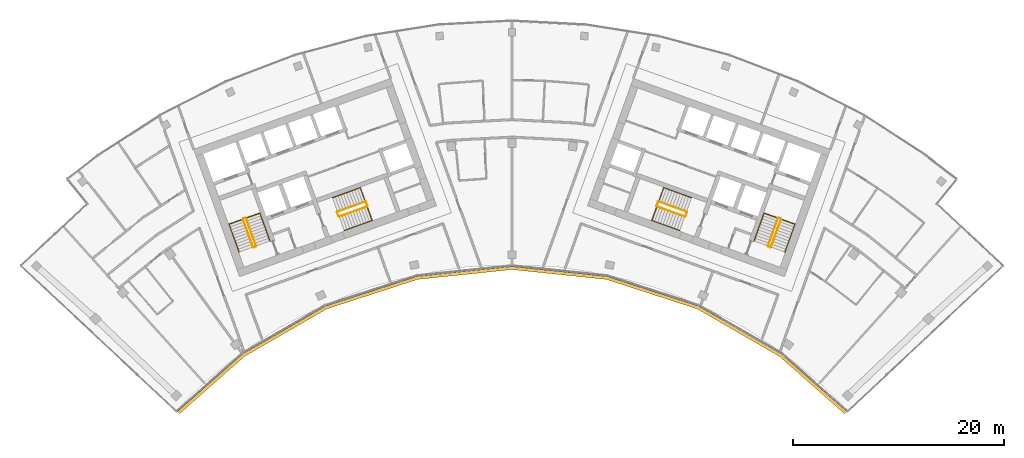
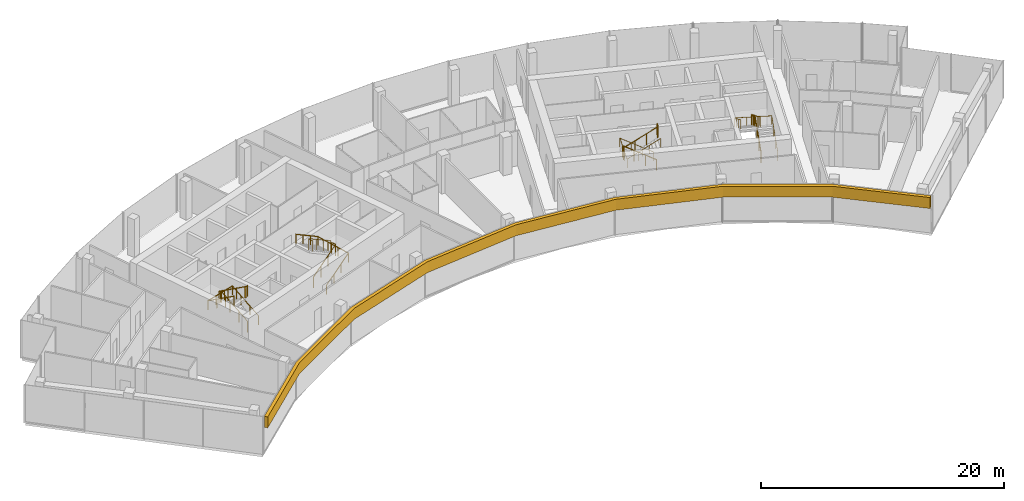
# One storey, part 18 of 18: 12 railings, 1 covering.
"""IFC4 building model written with IfcOpenShell, lengths in metres."""

from ifc_helpers import new_model, si_unit, direction, frame, origin, origin_2d, place, context, subcontext, project, spatial, polyline, circle, outline, extrude, material, layer, layer_set, type_object, element, save


model = new_model("IFC4")

# Units and contexts
model_context = context("Model", 3, precision=1e-05, world=origin(), true_north=direction((0.0, 1.0)))
body_context = subcontext(model_context, "Body", "Model", "MODEL_VIEW")
ifc_project = project(units=[si_unit("LENGTHUNIT", "METRE"), si_unit("AREAUNIT", "SQUARE_METRE"), si_unit("VOLUMEUNIT", "CUBIC_METRE"), si_unit("PLANEANGLEUNIT", "RADIAN"), si_unit("MASSUNIT", "GRAM", prefix="KILO")], contexts=[model_context])

# Site, building, storey
site_placement = place(None, origin())
site = spatial("IfcSite", under=ifc_project, at=site_placement, CompositionType="ELEMENT")
building_placement = place(site_placement, origin())
building = spatial("IfcBuilding", under=site, at=building_placement, Name="Stone Belt Terrace Tower", CompositionType="ELEMENT")
storey_placement = place(building_placement, frame((0.0, 0.0, 284.60009765625)))
storey = spatial("IfcBuildingStorey", under=building, at=storey_placement, Name="L69", CompositionType="ELEMENT", Elevation=284.60009765625)

# Railings
ifc_material_1 = material(Name="Structural steel C345", Category="steel")
railing_type_1 = type_object("IfcRailingType", Name="Stair guard 1100", PredefinedType="GUARDRAIL", material=ifc_material_1)
railing_1_placement = place(storey_placement, frame((-24.2119140625, 45.276123046875, 0.172607421875)))
element("IfcRailing", 1, at=railing_1_placement, inside=storey, type_object=railing_type_1, Name="L69 ST1A stair guard 1", PredefinedType="GUARDRAIL", context=body_context, shape_type="SweptSolid", body=[
    extrude(circle(Radius=0.02392578125, at=origin_2d()), frame((0.0, 0.0, 1.076171875), z_axis=(-0.288228637646, 0.800791768495, 0.525030280985), x_axis=(-0.940908529223, -0.338660803216, 0.0)), (0.0, 0.0, 1.0), 3.289794921875),
    extrude(circle(Radius=0.02392578125, at=origin_2d()), frame((-0.9482421875, 2.634521484375, 2.80322265625), z_axis=(-0.905209821074, 0.424964916, 0.0), x_axis=(-0.424964916, -0.905209821074, 0.0)), (0.0, 0.0, 1.0), 0.070556640625),
    extrude(circle(Radius=0.02392578125, at=origin_2d()), frame((-1.01220703125, 2.66455078125, 2.80322265625), z_axis=(-0.941105063269, -0.338114270461, 0.0), x_axis=(0.338114270461, -0.941105063269, 0.0)), (0.0, 0.0, 1.0), 0.199951171875),
    extrude(circle(Radius=0.02099609375, at=origin_2d()), origin(), (0.0, 0.0, 1.0), 1.052001953125),
    extrude(circle(Radius=0.02099609375, at=origin_2d()), frame((-0.316162109375, 0.878173828125, 0.57568359375)), (0.0, 0.0, 1.0), 1.052001953125),
    extrude(circle(Radius=0.02099609375, at=origin_2d()), frame((-0.632080078125, 1.75634765625, 1.151611328125)), (0.0, 0.0, 1.0), 1.052001953125),
    extrude(circle(Radius=0.02099609375, at=origin_2d()), frame((-0.9482421875, 2.634521484375, 1.727294921875)), (0.0, 0.0, 1.0), 1.052001953125),
    extrude(circle(Radius=0.02099609375, at=origin_2d()), frame((-1.01220703125, 2.66455078125, 1.727294921875)), (0.0, 0.0, 1.0), 1.052001953125),
    extrude(circle(Radius=0.02099609375, at=origin_2d()), frame((-1.200439453125, 2.596923828125, 1.727294921875)), (0.0, 0.0, 1.0), 1.052001953125),
])
railing_2_placement = place(storey_placement, frame((-25.4423828125, 47.80908203125, 2.072509765625)))
element("IfcRailing", 2, at=railing_2_placement, inside=storey, type_object=railing_type_1, Name="L69 ST1A stair guard 2", PredefinedType="GUARDRAIL", context=body_context, shape_type="SweptSolid", body=[
    extrude(circle(Radius=0.02392578125, at=origin_2d()), frame((0.0, 0.0, 1.076171875), z_axis=(0.288228637646, -0.800791768495, 0.525030280985), x_axis=(0.940908529223, 0.338660803216, 0.0)), (0.0, 0.0, 1.0), 3.289794921875),
    extrude(circle(Radius=0.02392578125, at=origin_2d()), frame((0.9482421875, -2.634521484375, 2.80322265625), z_axis=(0.903878284585, -0.427789722475, 0.0), x_axis=(0.427789722475, 0.903878284585, 0.0)), (0.0, 0.0, 1.0), 0.07080078125),
    extrude(circle(Radius=0.02392578125, at=origin_2d()), frame((1.01220703125, -2.664794921875, 2.80322265625), z_axis=(0.940575576748, 0.339584429008, 0.0), x_axis=(-0.339584429008, 0.940575576748, 0.0)), (0.0, 0.0, 1.0), 0.199951171875),
    extrude(circle(Radius=0.02099609375, at=origin_2d()), origin(), (0.0, 0.0, 1.0), 1.052001953125),
    extrude(circle(Radius=0.02099609375, at=origin_2d()), frame((0.316162109375, -0.878173828125, 0.57568359375)), (0.0, 0.0, 1.0), 1.052001953125),
    extrude(circle(Radius=0.02099609375, at=origin_2d()), frame((0.632080078125, -1.75634765625, 1.151611328125)), (0.0, 0.0, 1.0), 1.052001953125),
    extrude(circle(Radius=0.02099609375, at=origin_2d()), frame((0.9482421875, -2.634521484375, 1.727294921875)), (0.0, 0.0, 1.0), 1.052001953125),
    extrude(circle(Radius=0.02099609375, at=origin_2d()), frame((1.01220703125, -2.664794921875, 1.727294921875)), (0.0, 0.0, 1.0), 1.052001953125),
    extrude(circle(Radius=0.02099609375, at=origin_2d()), frame((1.2001953125, -2.596923828125, 1.727294921875)), (0.0, 0.0, 1.0), 1.052001953125),
])
railing_3_placement = place(storey_placement, frame((-16.33837890625, 48.056640625, 0.172607421875)))
element("IfcRailing", 3, at=railing_3_placement, inside=storey, type_object=railing_type_1, Name="L69 ST2A stair guard 1", PredefinedType="GUARDRAIL", context=body_context, shape_type="SweptSolid", body=[
    extrude(circle(Radius=0.02392578125, at=origin_2d()), frame((0.0, 0.0, 1.076171875), z_axis=(0.800808895155, 0.288160591223, 0.52504150989), x_axis=(-0.338583606334, 0.940936311087, 0.0)), (0.0, 0.0, 1.0), 3.289794921875),
    extrude(circle(Radius=0.02392578125, at=origin_2d()), frame((2.634521484375, 0.947998046875, 2.80322265625), z_axis=(0.427789722475, 0.903878284585, 0.0), x_axis=(-0.903878284585, 0.427789722475, 0.0)), (0.0, 0.0, 1.0), 0.07080078125),
    extrude(circle(Radius=0.02392578125, at=origin_2d()), frame((2.664794921875, 1.011962890625, 2.80322265625), z_axis=(-0.338654645739, 0.940910745459, 0.0), x_axis=(-0.940910745459, -0.338654645739, 0.0)), (0.0, 0.0, 1.0), 0.400146484375),
    extrude(circle(Radius=0.02099609375, at=origin_2d()), origin(), (0.0, 0.0, 1.0), 1.052001953125),
    extrude(circle(Radius=0.02099609375, at=origin_2d()), frame((0.878173828125, 0.31591796875, 0.57568359375)), (0.0, 0.0, 1.0), 1.052001953125),
    extrude(circle(Radius=0.02099609375, at=origin_2d()), frame((1.75634765625, 0.632080078125, 1.151611328125)), (0.0, 0.0, 1.0), 1.052001953125),
    extrude(circle(Radius=0.02099609375, at=origin_2d()), frame((2.634521484375, 0.947998046875, 1.727294921875)), (0.0, 0.0, 1.0), 1.052001953125),
    extrude(circle(Radius=0.02099609375, at=origin_2d()), frame((2.664794921875, 1.011962890625, 1.727294921875)), (0.0, 0.0, 1.0), 1.052001953125),
    extrude(circle(Radius=0.02099609375, at=origin_2d()), frame((2.529296875, 1.388427734375, 1.727294921875)), (0.0, 0.0, 1.0), 1.052001953125),
])
railing_4_placement = place(storey_placement, frame((-13.873046875, 49.47509765625, 2.072509765625)))
element("IfcRailing", 4, at=railing_4_placement, inside=storey, type_object=railing_type_1, Name="L69 ST2A stair guard 2", PredefinedType="GUARDRAIL", context=body_context, shape_type="SweptSolid", body=[
    extrude(circle(Radius=0.02392578125, at=origin_2d()), frame((0.0, 0.0, 1.076171875), z_axis=(-0.800808895155, -0.288160591223, 0.52504150989), x_axis=(0.338583606334, -0.940936311087, 0.0)), (0.0, 0.0, 1.0), 3.289794921875),
    extrude(circle(Radius=0.02392578125, at=origin_2d()), frame((-2.634521484375, -0.947998046875, 2.80322265625), z_axis=(-0.427789722475, -0.903878284585, 0.0), x_axis=(0.903878284585, -0.427789722475, 0.0)), (0.0, 0.0, 1.0), 0.07080078125),
    extrude(circle(Radius=0.02392578125, at=origin_2d()), frame((-2.664794921875, -1.011962890625, 2.80322265625), z_axis=(0.338654645739, -0.940910745459, 0.0), x_axis=(0.940910745459, 0.338654645739, 0.0)), (0.0, 0.0, 1.0), 0.400146484375),
    extrude(circle(Radius=0.02099609375, at=origin_2d()), origin(), (0.0, 0.0, 1.0), 1.052001953125),
    extrude(circle(Radius=0.02099609375, at=origin_2d()), frame((-0.878173828125, -0.31591796875, 0.57568359375)), (0.0, 0.0, 1.0), 1.052001953125),
    extrude(circle(Radius=0.02099609375, at=origin_2d()), frame((-1.75634765625, -0.632080078125, 1.151611328125)), (0.0, 0.0, 1.0), 1.052001953125),
    extrude(circle(Radius=0.02099609375, at=origin_2d()), frame((-2.634521484375, -0.947998046875, 1.727294921875)), (0.0, 0.0, 1.0), 1.052001953125),
    extrude(circle(Radius=0.02099609375, at=origin_2d()), frame((-2.664794921875, -1.011962890625, 1.727294921875)), (0.0, 0.0, 1.0), 1.052001953125),
    extrude(circle(Radius=0.02099609375, at=origin_2d()), frame((-2.529296875, -1.388427734375, 1.727294921875)), (0.0, 0.0, 1.0), 1.052001953125),
])
railing_5_placement = place(storey_placement, frame((24.494140625, 45.174560546875, 0.172607421875)))
element("IfcRailing", 5, at=railing_5_placement, inside=storey, type_object=railing_type_1, Name="L69 ST1B stair guard 1", PredefinedType="GUARDRAIL", context=body_context, shape_type="SweptSolid", body=[
    extrude(circle(Radius=0.02392578125, at=origin_2d()), frame((0.0, 0.0, 1.076171875), z_axis=(0.288228637646, 0.800791768495, 0.525030280985), x_axis=(-0.940908529223, 0.338660803216, 0.0)), (0.0, 0.0, 1.0), 3.289794921875),
    extrude(circle(Radius=0.02392578125, at=origin_2d()), frame((0.9482421875, 2.634521484375, 2.80322265625), z_axis=(-0.424964916, 0.905209821074, 0.0), x_axis=(-0.905209821074, -0.424964916, 0.0)), (0.0, 0.0, 1.0), 0.070556640625),
    extrude(circle(Radius=0.02392578125, at=origin_2d()), frame((0.918212890625, 2.698486328125, 2.80322265625), z_axis=(-0.941105063269, 0.338114270461, 0.0), x_axis=(-0.338114270461, -0.941105063269, 0.0)), (0.0, 0.0, 1.0), 0.199951171875),
    extrude(circle(Radius=0.02099609375, at=origin_2d()), origin(), (0.0, 0.0, 1.0), 1.052001953125),
    extrude(circle(Radius=0.02099609375, at=origin_2d()), frame((0.316162109375, 0.878173828125, 0.57568359375)), (0.0, 0.0, 1.0), 1.052001953125),
    extrude(circle(Radius=0.02099609375, at=origin_2d()), frame((0.632080078125, 1.75634765625, 1.151611328125)), (0.0, 0.0, 1.0), 1.052001953125),
    extrude(circle(Radius=0.02099609375, at=origin_2d()), frame((0.9482421875, 2.634521484375, 1.727294921875)), (0.0, 0.0, 1.0), 1.052001953125),
    extrude(circle(Radius=0.02099609375, at=origin_2d()), frame((0.918212890625, 2.698486328125, 1.727294921875)), (0.0, 0.0, 1.0), 1.052001953125),
    extrude(circle(Radius=0.02099609375, at=origin_2d()), frame((0.72998046875, 2.76611328125, 1.727294921875)), (0.0, 0.0, 1.0), 1.052001953125),
])
railing_6_placement = place(storey_placement, frame((25.16015625, 47.91064453125, 2.072509765625)))
element("IfcRailing", 6, at=railing_6_placement, inside=storey, type_object=railing_type_1, Name="L69 ST1B stair guard 2", PredefinedType="GUARDRAIL", context=body_context, shape_type="SweptSolid", body=[
    extrude(circle(Radius=0.02392578125, at=origin_2d()), frame((0.0, 0.0, 1.076171875), z_axis=(-0.288228637646, -0.800791768495, 0.525030280985), x_axis=(0.940908529223, -0.338660803216, 0.0)), (0.0, 0.0, 1.0), 3.289794921875),
    extrude(circle(Radius=0.02392578125, at=origin_2d()), frame((-0.9482421875, -2.634521484375, 2.80322265625), z_axis=(0.427789722475, -0.903878284585, 0.0), x_axis=(0.903878284585, 0.427789722475, 0.0)), (0.0, 0.0, 1.0), 0.07080078125),
    extrude(circle(Radius=0.02392578125, at=origin_2d()), frame((-0.91796875, -2.698486328125, 2.80322265625), z_axis=(0.940575576748, -0.339584429008, 0.0), x_axis=(0.339584429008, 0.940575576748, 0.0)), (0.0, 0.0, 1.0), 0.199951171875),
    extrude(circle(Radius=0.02099609375, at=origin_2d()), origin(), (0.0, 0.0, 1.0), 1.052001953125),
    extrude(circle(Radius=0.02099609375, at=origin_2d()), frame((-0.316162109375, -0.878173828125, 0.57568359375)), (0.0, 0.0, 1.0), 1.052001953125),
    extrude(circle(Radius=0.02099609375, at=origin_2d()), frame((-0.632080078125, -1.75634765625, 1.151611328125)), (0.0, 0.0, 1.0), 1.052001953125),
    extrude(circle(Radius=0.02099609375, at=origin_2d()), frame((-0.9482421875, -2.634521484375, 1.727294921875)), (0.0, 0.0, 1.0), 1.052001953125),
    extrude(circle(Radius=0.02099609375, at=origin_2d()), frame((-0.91796875, -2.698486328125, 1.727294921875)), (0.0, 0.0, 1.0), 1.052001953125),
    extrude(circle(Radius=0.02099609375, at=origin_2d()), frame((-0.72998046875, -2.766357421875, 1.727294921875)), (0.0, 0.0, 1.0), 1.052001953125),
])
railing_7_placement = place(storey_placement, frame((16.507568359375, 48.527099609375, 0.172607421875)))
element("IfcRailing", 7, at=railing_7_placement, inside=storey, type_object=railing_type_1, Name="L69 ST2B stair guard 1", PredefinedType="GUARDRAIL", context=body_context, shape_type="SweptSolid", body=[
    extrude(circle(Radius=0.02392578125, at=origin_2d()), frame((0.0, 0.0, 1.076171875), z_axis=(-0.800808895155, 0.288160591223, 0.52504150989), x_axis=(-0.338583606334, -0.940936311087, 0.0)), (0.0, 0.0, 1.0), 3.289794921875),
    extrude(circle(Radius=0.02392578125, at=origin_2d()), frame((-2.634521484375, 0.947998046875, 2.80322265625), z_axis=(-0.905209821074, -0.424964916, 0.0), x_axis=(0.424964916, -0.905209821074, 0.0)), (0.0, 0.0, 1.0), 0.070556640625),
    extrude(circle(Radius=0.02392578125, at=origin_2d()), frame((-2.698486328125, 0.91796875, 2.80322265625), z_axis=(-0.338654645739, -0.940910745459, 0.0), x_axis=(0.940910745459, -0.338654645739, 0.0)), (0.0, 0.0, 1.0), 0.400146484375),
    extrude(circle(Radius=0.02099609375, at=origin_2d()), origin(), (0.0, 0.0, 1.0), 1.052001953125),
    extrude(circle(Radius=0.02099609375, at=origin_2d()), frame((-0.878173828125, 0.31591796875, 0.57568359375)), (0.0, 0.0, 1.0), 1.052001953125),
    extrude(circle(Radius=0.02099609375, at=origin_2d()), frame((-1.75634765625, 0.632080078125, 1.151611328125)), (0.0, 0.0, 1.0), 1.052001953125),
    extrude(circle(Radius=0.02099609375, at=origin_2d()), frame((-2.634521484375, 0.947998046875, 1.727294921875)), (0.0, 0.0, 1.0), 1.052001953125),
    extrude(circle(Radius=0.02099609375, at=origin_2d()), frame((-2.698486328125, 0.91796875, 1.727294921875)), (0.0, 0.0, 1.0), 1.052001953125),
    extrude(circle(Radius=0.02099609375, at=origin_2d()), frame((-2.833984375, 0.54150390625, 1.727294921875)), (0.0, 0.0, 1.0), 1.052001953125),
])
railing_8_placement = place(storey_placement, frame((13.703857421875, 49.004638671875, 2.072509765625)))
element("IfcRailing", 8, at=railing_8_placement, inside=storey, type_object=railing_type_1, Name="L69 ST2B stair guard 2", PredefinedType="GUARDRAIL", context=body_context, shape_type="SweptSolid", body=[
    extrude(circle(Radius=0.02392578125, at=origin_2d()), frame((0.0, 0.0, 1.076171875), z_axis=(0.800808895155, -0.288160591223, 0.52504150989), x_axis=(0.338583606334, 0.940936311087, 0.0)), (0.0, 0.0, 1.0), 3.289794921875),
    extrude(circle(Radius=0.02392578125, at=origin_2d()), frame((2.634521484375, -0.947998046875, 2.80322265625), z_axis=(0.905209821074, 0.424964916, 0.0), x_axis=(-0.424964916, 0.905209821074, 0.0)), (0.0, 0.0, 1.0), 0.070556640625),
    extrude(circle(Radius=0.02392578125, at=origin_2d()), frame((2.698486328125, -0.91796875, 2.80322265625), z_axis=(0.338654645739, 0.940910745459, 0.0), x_axis=(-0.940910745459, 0.338654645739, 0.0)), (0.0, 0.0, 1.0), 0.400146484375),
    extrude(circle(Radius=0.02099609375, at=origin_2d()), origin(), (0.0, 0.0, 1.0), 1.052001953125),
    extrude(circle(Radius=0.02099609375, at=origin_2d()), frame((0.878173828125, -0.31591796875, 0.57568359375)), (0.0, 0.0, 1.0), 1.052001953125),
    extrude(circle(Radius=0.02099609375, at=origin_2d()), frame((1.75634765625, -0.632080078125, 1.151611328125)), (0.0, 0.0, 1.0), 1.052001953125),
    extrude(circle(Radius=0.02099609375, at=origin_2d()), frame((2.634521484375, -0.947998046875, 1.727294921875)), (0.0, 0.0, 1.0), 1.052001953125),
    extrude(circle(Radius=0.02099609375, at=origin_2d()), frame((2.698486328125, -0.91796875, 1.727294921875)), (0.0, 0.0, 1.0), 1.052001953125),
    extrude(circle(Radius=0.02099609375, at=origin_2d()), frame((2.833984375, -0.54150390625, 1.727294921875)), (0.0, 0.0, 1.0), 1.052001953125),
])
railing_type_2 = type_object("IfcRailingType", Name="Stair handrail 900", PredefinedType="HANDRAIL", material=ifc_material_1)
railing_9_placement = place(storey_placement, frame((-22.894775390625, 45.750244140625, 0.172607421875)))
element("IfcRailing", 9, at=railing_9_placement, inside=storey, type_object=railing_type_2, Name="L69 ST1A stair handrail 1", PredefinedType="HANDRAIL", context=body_context, shape_type="SweptSolid", body=[
    extrude(circle(Radius=0.02392578125, at=origin_2d()), frame((0.0, 0.0, 0.8759765625), z_axis=(-0.288160591223, 0.800808895155, 0.52504150989), x_axis=(-0.940936311087, -0.338583606334, 0.0)), (0.0, 0.0, 1.0), 3.289794921875),
    extrude(circle(Radius=0.02392578125, at=origin_2d()), frame((-0.947998046875, 2.634521484375, 2.60302734375), z_axis=(-0.939464517435, -0.338106580597, 0.055591012205), x_axis=(0.338630230244, -0.940919532779, 0.0)), (0.0, 0.0, 1.0), 3.10498046875),
    extrude(circle(Radius=0.02392578125, at=origin_2d()), frame((-3.864990234375, 1.584716796875, 2.77587890625), z_axis=(0.288228637646, -0.800791768495, 0.525030280985), x_axis=(0.940908529223, 0.338660803216, 0.0)), (0.0, 0.0, 1.0), 3.289794921875),
    extrude(circle(Radius=0.02099609375, at=origin_2d()), origin(), (0.0, 0.0, 1.0), 0.851806640625),
    extrude(circle(Radius=0.02099609375, at=origin_2d()), frame((-0.31591796875, 0.878173828125, 0.57568359375)), (0.0, 0.0, 1.0), 0.851806640625),
    extrude(circle(Radius=0.02099609375, at=origin_2d()), frame((-0.632080078125, 1.75634765625, 1.151611328125)), (0.0, 0.0, 1.0), 0.851806640625),
    extrude(circle(Radius=0.02099609375, at=origin_2d()), frame((-0.947998046875, 2.634521484375, 1.727294921875)), (0.0, 0.0, 1.0), 0.851806640625),
    extrude(circle(Radius=0.02099609375, at=origin_2d()), frame((-1.92041015625, 2.28466796875, 1.784912109375)), (0.0, 0.0, 1.0), 0.851806640625),
    extrude(circle(Radius=0.02099609375, at=origin_2d()), frame((-2.892578125, 1.9345703125, 1.84228515625)), (0.0, 0.0, 1.0), 0.851806640625),
    extrude(circle(Radius=0.02099609375, at=origin_2d()), frame((-3.864990234375, 1.584716796875, 1.89990234375)), (0.0, 0.0, 1.0), 0.851806640625),
    extrude(circle(Radius=0.02099609375, at=origin_2d()), frame((-3.548828125, 0.70654296875, 2.4755859375)), (0.0, 0.0, 1.0), 0.851806640625),
    extrude(circle(Radius=0.02099609375, at=origin_2d()), frame((-3.23291015625, -0.171630859375, 3.051513671875)), (0.0, 0.0, 1.0), 0.851806640625),
    extrude(circle(Radius=0.02099609375, at=origin_2d()), frame((-2.916748046875, -1.0498046875, 3.627197265625)), (0.0, 0.0, 1.0), 0.851806640625),
])
railing_10_placement = place(storey_placement, frame((-15.8642578125, 46.7392578125, 0.172607421875)))
element("IfcRailing", 10, at=railing_10_placement, inside=storey, type_object=railing_type_2, Name="L69 ST2A stair handrail 1", PredefinedType="HANDRAIL", context=body_context, shape_type="SweptSolid", body=[
    extrude(circle(Radius=0.02392578125, at=origin_2d()), frame((0.0, 0.0, 0.8759765625), z_axis=(0.800791768495, 0.288228637646, 0.525030280985), x_axis=(-0.338660803216, 0.940908529223, 0.0)), (0.0, 0.0, 1.0), 3.289794921875),
    extrude(circle(Radius=0.02392578125, at=origin_2d()), frame((2.634521484375, 0.9482421875, 2.60302734375), z_axis=(-0.338160254016, 0.939637778147, 0.052234935458), x_axis=(-0.940922302781, -0.338622533404, 0.0)), (0.0, 0.0, 1.0), 3.304443359375),
    extrude(circle(Radius=0.02392578125, at=origin_2d()), frame((1.51708984375, 4.05322265625, 2.77587890625), z_axis=(-0.800791768495, -0.288228637646, 0.525030280985), x_axis=(0.338660803216, -0.940908529223, 0.0)), (0.0, 0.0, 1.0), 3.289794921875),
    extrude(circle(Radius=0.02099609375, at=origin_2d()), origin(), (0.0, 0.0, 1.0), 0.851806640625),
    extrude(circle(Radius=0.02099609375, at=origin_2d()), frame((0.878173828125, 0.316162109375, 0.57568359375)), (0.0, 0.0, 1.0), 0.851806640625),
    extrude(circle(Radius=0.02099609375, at=origin_2d()), frame((1.75634765625, 0.632080078125, 1.151611328125)), (0.0, 0.0, 1.0), 0.851806640625),
    extrude(circle(Radius=0.02099609375, at=origin_2d()), frame((2.634521484375, 0.9482421875, 1.727294921875)), (0.0, 0.0, 1.0), 0.851806640625),
    extrude(circle(Radius=0.02099609375, at=origin_2d()), frame((2.261962890625, 1.983154296875, 1.784912109375)), (0.0, 0.0, 1.0), 0.851806640625),
    extrude(circle(Radius=0.02099609375, at=origin_2d()), frame((1.8896484375, 3.018310546875, 1.84228515625)), (0.0, 0.0, 1.0), 0.851806640625),
    extrude(circle(Radius=0.02099609375, at=origin_2d()), frame((1.51708984375, 4.05322265625, 1.89990234375)), (0.0, 0.0, 1.0), 0.851806640625),
    extrude(circle(Radius=0.02099609375, at=origin_2d()), frame((0.638916015625, 3.737060546875, 2.4755859375)), (0.0, 0.0, 1.0), 0.851806640625),
    extrude(circle(Radius=0.02099609375, at=origin_2d()), frame((-0.2392578125, 3.421142578125, 3.051513671875)), (0.0, 0.0, 1.0), 0.851806640625),
    extrude(circle(Radius=0.02099609375, at=origin_2d()), frame((-1.117431640625, 3.10498046875, 3.627197265625)), (0.0, 0.0, 1.0), 0.851806640625),
])
railing_11_placement = place(storey_placement, frame((25.8115234375, 44.700439453125, 0.172607421875)))
element("IfcRailing", 11, at=railing_11_placement, inside=storey, type_object=railing_type_2, Name="L69 ST1B stair handrail 1", PredefinedType="HANDRAIL", context=body_context, shape_type="SweptSolid", body=[
    extrude(circle(Radius=0.02392578125, at=origin_2d()), frame((0.0, 0.0, 0.8759765625), z_axis=(0.288228637646, 0.800791768495, 0.525030280985), x_axis=(-0.940908529223, 0.338660803216, 0.0)), (0.0, 0.0, 1.0), 3.289794921875),
    extrude(circle(Radius=0.02392578125, at=origin_2d()), frame((0.9482421875, 2.634521484375, 2.60302734375), z_axis=(-0.939464517435, 0.338106580597, 0.055591012205), x_axis=(-0.338630230244, -0.940919532779, 0.0)), (0.0, 0.0, 1.0), 3.10498046875),
    extrude(circle(Radius=0.02392578125, at=origin_2d()), frame((-1.96875, 3.684326171875, 2.77587890625), z_axis=(-0.288160591223, -0.800808895155, 0.52504150989), x_axis=(0.940936311087, -0.338583606334, 0.0)), (0.0, 0.0, 1.0), 3.289794921875),
    extrude(circle(Radius=0.02099609375, at=origin_2d()), origin(), (0.0, 0.0, 1.0), 0.851806640625),
    extrude(circle(Radius=0.02099609375, at=origin_2d()), frame((0.316162109375, 0.878173828125, 0.57568359375)), (0.0, 0.0, 1.0), 0.851806640625),
    extrude(circle(Radius=0.02099609375, at=origin_2d()), frame((0.632080078125, 1.75634765625, 1.151611328125)), (0.0, 0.0, 1.0), 0.851806640625),
    extrude(circle(Radius=0.02099609375, at=origin_2d()), frame((0.9482421875, 2.634521484375, 1.727294921875)), (0.0, 0.0, 1.0), 0.851806640625),
    extrude(circle(Radius=0.02099609375, at=origin_2d()), frame((-0.024169921875, 2.984375, 1.784912109375)), (0.0, 0.0, 1.0), 0.851806640625),
    extrude(circle(Radius=0.02099609375, at=origin_2d()), frame((-0.996337890625, 3.33447265625, 1.84228515625)), (0.0, 0.0, 1.0), 0.851806640625),
    extrude(circle(Radius=0.02099609375, at=origin_2d()), frame((-1.96875, 3.684326171875, 1.89990234375)), (0.0, 0.0, 1.0), 0.851806640625),
    extrude(circle(Radius=0.02099609375, at=origin_2d()), frame((-2.28466796875, 2.80615234375, 2.4755859375)), (0.0, 0.0, 1.0), 0.851806640625),
    extrude(circle(Radius=0.02099609375, at=origin_2d()), frame((-2.600830078125, 1.927978515625, 3.051513671875)), (0.0, 0.0, 1.0), 0.851806640625),
    extrude(circle(Radius=0.02099609375, at=origin_2d()), frame((-2.916748046875, 1.0498046875, 3.627197265625)), (0.0, 0.0, 1.0), 0.851806640625),
])
railing_12_placement = place(storey_placement, frame((16.981689453125, 49.84423828125, 0.172607421875)))
element("IfcRailing", 12, at=railing_12_placement, inside=storey, type_object=railing_type_2, Name="L69 ST2B stair handrail 1", PredefinedType="HANDRAIL", context=body_context, shape_type="SweptSolid", body=[
    extrude(circle(Radius=0.02392578125, at=origin_2d()), frame((0.0, 0.0, 0.8759765625), z_axis=(-0.800791768495, 0.288228637646, 0.525030280985), x_axis=(-0.338660803216, -0.940908529223, 0.0)), (0.0, 0.0, 1.0), 3.289794921875),
    extrude(circle(Radius=0.02392578125, at=origin_2d()), frame((-2.634521484375, 0.9482421875, 2.60302734375), z_axis=(-0.338160254016, -0.939637778147, 0.052234935458), x_axis=(0.940922302781, -0.338622533404, 0.0)), (0.0, 0.0, 1.0), 3.304443359375),
    extrude(circle(Radius=0.02392578125, at=origin_2d()), frame((-3.751953125, -2.15673828125, 2.77587890625), z_axis=(0.800791768495, -0.288228637646, 0.525030280985), x_axis=(0.338660803216, 0.940908529223, 0.0)), (0.0, 0.0, 1.0), 3.289794921875),
    extrude(circle(Radius=0.02099609375, at=origin_2d()), origin(), (0.0, 0.0, 1.0), 0.851806640625),
    extrude(circle(Radius=0.02099609375, at=origin_2d()), frame((-0.878173828125, 0.316162109375, 0.57568359375)), (0.0, 0.0, 1.0), 0.851806640625),
    extrude(circle(Radius=0.02099609375, at=origin_2d()), frame((-1.75634765625, 0.632080078125, 1.151611328125)), (0.0, 0.0, 1.0), 0.851806640625),
    extrude(circle(Radius=0.02099609375, at=origin_2d()), frame((-2.634521484375, 0.9482421875, 1.727294921875)), (0.0, 0.0, 1.0), 0.851806640625),
    extrude(circle(Radius=0.02099609375, at=origin_2d()), frame((-3.007080078125, -0.086669921875, 1.784912109375)), (0.0, 0.0, 1.0), 0.851806640625),
    extrude(circle(Radius=0.02099609375, at=origin_2d()), frame((-3.37939453125, -1.121826171875, 1.84228515625)), (0.0, 0.0, 1.0), 0.851806640625),
    extrude(circle(Radius=0.02099609375, at=origin_2d()), frame((-3.751953125, -2.15673828125, 1.89990234375)), (0.0, 0.0, 1.0), 0.851806640625),
    extrude(circle(Radius=0.02099609375, at=origin_2d()), frame((-2.873779296875, -2.472900390625, 2.4755859375)), (0.0, 0.0, 1.0), 0.851806640625),
    extrude(circle(Radius=0.02099609375, at=origin_2d()), frame((-1.99560546875, -2.788818359375, 3.051513671875)), (0.0, 0.0, 1.0), 0.851806640625),
    extrude(circle(Radius=0.02099609375, at=origin_2d()), frame((-1.117431640625, -3.10498046875, 3.627197265625)), (0.0, 0.0, 1.0), 0.851806640625),
])

# Covering
ifc_material_2 = material(Name="Terracotta coloured glazed ceramic", Category="masonry")
ifc_layer = layer(ifc_material_2, 0.300048828125)
ifc_layer_set = layer_set([ifc_layer], Name="Terracotta spandrel band 300 x 1100")
covering_type = type_object("IfcCoveringType", Name="Terracotta spandrel band 300 x 1100", PredefinedType="CLADDING", material=ifc_layer_set)
covering_placement = place(storey_placement, frame((0.0, 0.0, 2.699951171875)))
element("IfcCovering", 13, at=covering_placement, inside=storey, type_object=covering_type, Name="BAND L69", PredefinedType="CLADDING", context=body_context, shape_type="SweptSolid", body=[
    extrude(outline(polyline([(-31.651611328125, 29.6220703125), (-25.480712890625, 35.06982421875), (-17.631591796875, 39.6015625), (-9.0126953125, 42.40185546875), (0.0, 43.34912109375), (9.0126953125, 42.40185546875), (17.631591796875, 39.6015625), (25.480712890625, 35.06982421875), (31.651611328125, 29.6220703125), (31.453125, 29.39697265625), (25.3046875, 34.824951171875), (17.509033203125, 39.325927734375), (8.9501953125, 42.10693359375), (0.0, 43.047607421875), (-8.9501953125, 42.10693359375), (-17.509033203125, 39.325927734375), (-25.3046875, 34.824951171875), (-31.453125, 29.39697265625), (-31.651611328125, 29.6220703125)])), origin(), (0.0, 0.0, 1.0), 1.099853515625),
])

save(model, "model.ifc")
